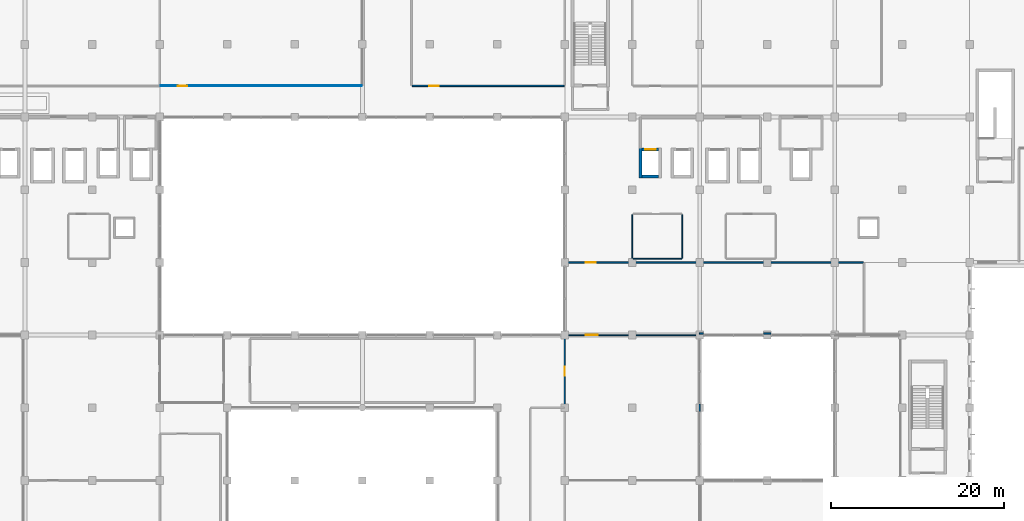
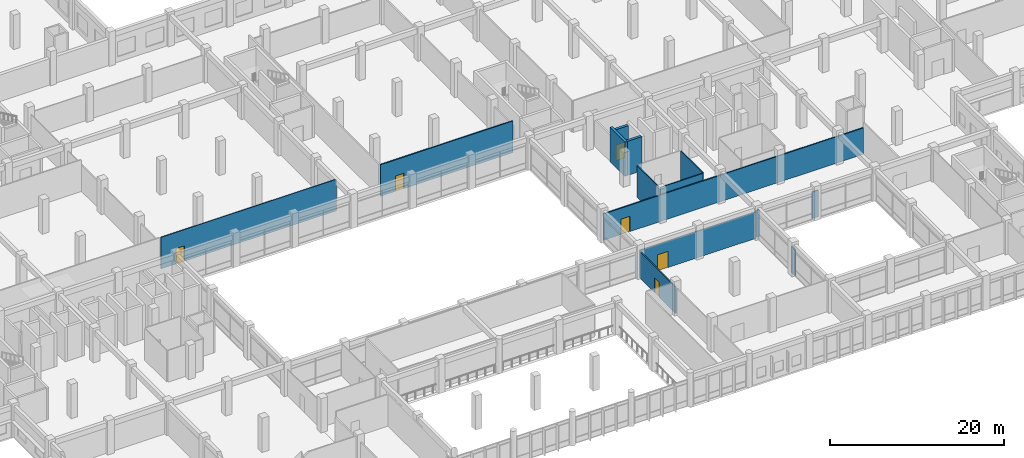
# One storey, part 57 of 79: 14 walls, 6 doors, 6 openings.
"""IFC4 building model written with IfcOpenShell, lengths in metres."""

from ifc_helpers import new_model, si_unit, direction, frame, frame_2d, origin, place, context, subcontext, project, spatial, rectangle, extrude, material, layer, layer_set, type_object, element, fill, save


model = new_model("IFC4")

# Units and contexts
model_context = context("Model", 3, precision=1e-05, world=origin(), true_north=direction((0.0, 1.0)))
body_context = subcontext(model_context, "Body", "Model", "MODEL_VIEW")
ifc_project = project(units=[si_unit("LENGTHUNIT", "METRE"), si_unit("AREAUNIT", "SQUARE_METRE"), si_unit("VOLUMEUNIT", "CUBIC_METRE"), si_unit("PLANEANGLEUNIT", "RADIAN"), si_unit("MASSUNIT", "GRAM", prefix="KILO"), si_unit("THERMODYNAMICTEMPERATUREUNIT", "KELVIN"), si_unit("POWERUNIT", "WATT")], contexts=[model_context])

# Site, building, storey
site_placement = place(None, origin())
site = spatial("IfcSite", under=ifc_project, at=site_placement, CompositionType="ELEMENT")
building_placement = place(site_placement, origin())
building = spatial("IfcBuilding", under=site, at=building_placement, Name="Srebrne Nadtorze General Hospital", CompositionType="ELEMENT")
storey_placement = place(building_placement, frame((0.0, 0.0, 4.800048828125)))
storey = spatial("IfcBuildingStorey", under=building, at=storey_placement, Name="L01", CompositionType="ELEMENT", Elevation=4.800048828125)

# Wall, opening, door
ifc_material_1 = material(Name="Gypsum Healthcare Partition")
ifc_layer_1 = layer(ifc_material_1, 0.139892578125)
ifc_layer_set_1 = layer_set([ifc_layer_1], Name="Gypsum Healthcare Partition")
wall_type_1 = type_object("IfcWallType", Name="Clinical partition 140", PredefinedType="PARTITIONING", material=ifc_layer_set_1)
wall_1_placement = place(storey_placement, frame((101.485107421875, 25.199951171875, 0.0), z_axis=(0.0, 0.0, 1.0), x_axis=(1.0, 0.0, 0.0)))
wall_1 = element("IfcWall", 1, at=wall_1_placement, inside=storey, type_object=wall_type_1, Name="Outpatient ENT and Audiology Clinic wall WL-INT-L01-1473", PredefinedType="PARTITIONING", context=body_context, shape_type="SweptSolid", body=[
    extrude(rectangle(XDim=15.429931640625, YDim=0.139892578125, at=frame_2d((7.71484375, 0.0))), origin(), (0.0, 0.0, 1.0), 3.699951171875),
])
opening_1_placement = place(wall_1_placement, frame((2.33154296875, 0.0, 0.0)))
opening_1 = element("IfcOpeningElement", 2, at=opening_1_placement, cuts=wall_1, Name="Opening D-L01-0233", PredefinedType="OPENING", context=body_context, shape_type="SweptSolid", body=[
    extrude(rectangle(XDim=1.39990234375, YDim=2.25, at=frame_2d((0.699951171875, 1.125))), frame((0.0, 0.08203125, 0.0), z_axis=(0.0, -1.0, 0.0), x_axis=(1.0, 0.0, 0.0)), (0.0, 0.0, 1.0), 0.163818359375),
])
ifc_material_2 = material(Name="Anodised Aluminium", Category="aluminium")
door_type_1 = type_object("IfcDoorType", Name="Single leaf door 1400x2250", OperationType="NOTDEFINED", PredefinedType="DOOR", material=ifc_material_2)
door_1_placement = place(opening_1_placement, frame((1.39990234375, 0.0, 0.0), z_axis=(0.0, 0.0, 1.0), x_axis=(-1.0, 0.0, 0.0)))
door_1 = element("IfcDoor", 3, at=door_1_placement, inside=storey, type_object=door_type_1, Name="Outpatient ENT and Audiology Clinic door D-L01-0233", OperationType="SINGLE_SWING_LEFT", OverallHeight=2.25, OverallWidth=1.39990234375, PredefinedType="DOOR", context=body_context, shape_type="SweptSolid", body=[
    extrude(rectangle(XDim=1.39990234375, YDim=2.25, at=frame_2d((0.699951171875, 1.125))), frame((0.0, 0.02490234375, 0.0), z_axis=(0.0, -1.0, 0.0), x_axis=(1.0, 0.0, 0.0)), (0.0, 0.0, 1.0), 0.050048828125),
])
fill(opening_1, door_1)

wall_2_placement = place(storey_placement, frame((101.39990234375, 16.7548828125, 0.0), z_axis=(0.0, 0.0, 1.0), x_axis=(0.0, 1.0, 0.0)))
wall_2 = element("IfcWall", 4, at=wall_2_placement, inside=storey, type_object=wall_type_1, Name="Outpatient ENT and Audiology Clinic wall WL-INT-L01-1474", PredefinedType="PARTITIONING", context=body_context, shape_type="SweptSolid", body=[
    extrude(rectangle(XDim=8.360107421875, YDim=0.139892578125, at=frame_2d((4.18017578125, 0.0))), origin(), (0.0, 0.0, 1.0), 3.699951171875),
])
opening_2_placement = place(wall_2_placement, frame((3.719970703125, 0.0, 0.0)))
opening_2 = element("IfcOpeningElement", 5, at=opening_2_placement, cuts=wall_2, Name="Opening D-L01-0600", PredefinedType="OPENING", context=body_context, shape_type="SweptSolid", body=[
    extrude(rectangle(XDim=1.050048828125, YDim=2.10009765625, at=frame_2d((0.52490234375, 1.050048828125))), frame((0.0, 0.08203125, 0.0), z_axis=(0.0, -1.0, 0.0), x_axis=(1.0, 0.0, 0.0)), (0.0, 0.0, 1.0), 0.163818359375),
])
ifc_material_3 = material(Name="Anodised Aluminium", Category="aluminium")
door_type_2 = type_object("IfcDoorType", Name="Single leaf door 1050x2100", OperationType="NOTDEFINED", PredefinedType="DOOR", material=ifc_material_3)
door_2_placement = place(opening_2_placement, origin())
door_2 = element("IfcDoor", 6, at=door_2_placement, inside=storey, type_object=door_type_2, Name="Clinical Corridor link door D-L01-0600", OperationType="SINGLE_SWING_RIGHT", OverallHeight=2.10009765625, OverallWidth=1.050048828125, PredefinedType="DOOR", context=body_context, shape_type="SweptSolid", body=[
    extrude(rectangle(XDim=1.050048828125, YDim=2.10009765625, at=frame_2d((0.52490234375, 1.050048828125))), frame((0.0, 0.02490234375, 0.0), z_axis=(0.0, -1.0, 0.0), x_axis=(1.0, 0.0, 0.0)), (0.0, 0.0, 1.0), 0.050048828125),
])
fill(opening_2, door_2)

# Wall
wall_3_placement = place(storey_placement, frame((117.0, 16.389892578125, 0.0), z_axis=(0.0, 0.0, 1.0), x_axis=(0.0, 1.0, 0.0)))
element("IfcWall", 7, at=wall_3_placement, inside=storey, type_object=wall_type_1, Name="Outpatient ENT and Audiology Clinic wall WL-INT-L01-1475", PredefinedType="PARTITIONING", context=body_context, shape_type="SweptSolid", body=[
    extrude(rectangle(XDim=0.820068359375, YDim=0.139892578125, at=frame_2d((0.41015625, 0.0))), origin(), (0.0, 0.0, 1.0), 3.699951171875),
])

# Wall, opening, door
ifc_material_4 = material(Name="Gypsum Healthcare Partition")
ifc_layer_2 = layer(ifc_material_4, 0.159912109375)
ifc_layer_set_2 = layer_set([ifc_layer_2], Name="Gypsum Healthcare Partition")
wall_type_2 = type_object("IfcWallType", Name="Clinical partition 160", PredefinedType="PARTITIONING", material=ifc_layer_set_2)
wall_4_placement = place(storey_placement, frame((83.760009765625, 54.0, 0.0), z_axis=(0.0, 0.0, 1.0), x_axis=(1.0, 0.0, 0.0)))
wall_4 = element("IfcWall", 8, at=wall_4_placement, inside=storey, type_object=wall_type_2, Name="Radiology Reporting Workroom wall WL-INT-L01-1443", PredefinedType="PARTITIONING", context=body_context, shape_type="SweptSolid", body=[
    extrude(rectangle(XDim=17.554931640625, YDim=0.159912109375, at=frame_2d((8.77734375, 0.0))), origin(), (0.0, 0.0, 1.0), 4.429931640625),
])
opening_3_placement = place(wall_4_placement, frame((1.986328125, 0.0, 0.0)))
opening_3 = element("IfcOpeningElement", 9, at=opening_3_placement, cuts=wall_4, Name="Opening D-L01-0226", PredefinedType="OPENING", context=body_context, shape_type="SweptSolid", body=[
    extrude(rectangle(XDim=1.080078125, YDim=2.14990234375, at=frame_2d((0.5400390625, 1.074951171875))), frame((0.0, 0.091796875, 0.0), z_axis=(0.0, -1.0, 0.0), x_axis=(1.0, 0.0, 0.0)), (0.0, 0.0, 1.0), 0.183837890625),
])
ifc_material_5 = material(Name="Anodised Aluminium", Category="aluminium")
door_type_3 = type_object("IfcDoorType", Name="Single leaf door 1080x2150", OperationType="NOTDEFINED", PredefinedType="DOOR", material=ifc_material_5)
door_3_placement = place(opening_3_placement, origin())
door_3 = element("IfcDoor", 10, at=door_3_placement, inside=storey, type_object=door_type_3, Name="Radiology Reporting Workroom door D-L01-0226", OperationType="SINGLE_SWING_LEFT", OverallHeight=2.14990234375, OverallWidth=1.080078125, PredefinedType="DOOR", context=body_context, shape_type="SweptSolid", body=[
    extrude(rectangle(XDim=1.080078125, YDim=2.14990234375, at=frame_2d((0.5400390625, 1.074951171875))), frame((0.0, 0.02490234375, 0.0), z_axis=(0.0, -1.0, 0.0), x_axis=(1.0, 0.0, 0.0)), (0.0, 0.0, 1.0), 0.050048828125),
])
fill(opening_3, door_3)

# Walls
wall_5_placement = place(storey_placement, frame((116.955078125, 25.39990234375, 0.0), z_axis=(0.0, 0.0, 1.0), x_axis=(1.0, 0.0, 0.0)))
element("IfcWall", 11, at=wall_5_placement, inside=storey, type_object=wall_type_2, Name="Outpatient Rheumatology and Immunology Clinic wall WL-INT-L01-1491", PredefinedType="PARTITIONING", context=body_context, shape_type="SweptSolid", body=[
    extrude(rectangle(XDim=0.454833984375, YDim=0.159912109375, at=frame_2d((0.2275390625, 0.0))), origin(), (0.0, 0.0, 1.0), 3.699951171875),
])
wall_6_placement = place(storey_placement, frame((124.389892578125, 25.39990234375, 0.0), z_axis=(0.0, 0.0, 1.0), x_axis=(1.0, 0.0, 0.0)))
element("IfcWall", 12, at=wall_6_placement, inside=storey, type_object=wall_type_2, Name="Outpatient Rheumatology and Immunology Clinic wall WL-INT-L01-1492", PredefinedType="PARTITIONING", context=body_context, shape_type="SweptSolid", body=[
    extrude(rectangle(XDim=0.820068359375, YDim=0.159912109375, at=frame_2d((0.41015625, 0.0))), origin(), (0.0, 0.0, 1.0), 3.699951171875),
])

# Wall, opening, door
wall_7_placement = place(storey_placement, frame((101.485107421875, 33.60009765625, 0.0), z_axis=(0.0, 0.0, 1.0), x_axis=(1.0, 0.0, 0.0)))
wall_7 = element("IfcWall", 13, at=wall_7_placement, inside=storey, type_object=wall_type_2, Name="Outpatient Rheumatology and Immunology Clinic wall WL-INT-L01-1494", PredefinedType="PARTITIONING", context=body_context, shape_type="SweptSolid", body=[
    extrude(rectangle(XDim=34.429931640625, YDim=0.159912109375, at=frame_2d((17.21484375, 0.0))), origin(), (0.0, 0.0, 1.0), 3.699951171875),
])
opening_4_placement = place(wall_7_placement, frame((2.339111328125, 0.0, 0.0)))
opening_4 = element("IfcOpeningElement", 14, at=opening_4_placement, cuts=wall_7, Name="Opening D-L01-0238", PredefinedType="OPENING", context=body_context, shape_type="SweptSolid", body=[
    extrude(rectangle(XDim=1.14990234375, YDim=2.14990234375, at=frame_2d((0.574951171875, 1.074951171875))), frame((0.0, 0.091796875, 0.0), z_axis=(0.0, -1.0, 0.0), x_axis=(1.0, 0.0, 0.0)), (0.0, 0.0, 1.0), 0.183837890625),
])
ifc_material_6 = material(Name="Anodised Aluminium", Category="aluminium")
door_type_4 = type_object("IfcDoorType", Name="Single leaf door 1150x2150", OperationType="NOTDEFINED", PredefinedType="DOOR", material=ifc_material_6)
door_4_placement = place(opening_4_placement, frame((1.14990234375, 0.0, 0.0), z_axis=(0.0, 0.0, 1.0), x_axis=(-1.0, 0.0, 0.0)))
door_4 = element("IfcDoor", 15, at=door_4_placement, inside=storey, type_object=door_type_4, Name="Outpatient Rheumatology and Immunology Clinic door D-L01-0238", OperationType="SINGLE_SWING_RIGHT", OverallHeight=2.14990234375, OverallWidth=1.14990234375, PredefinedType="DOOR", context=body_context, shape_type="SweptSolid", body=[
    extrude(rectangle(XDim=1.14990234375, YDim=2.14990234375, at=frame_2d((0.574951171875, 1.074951171875))), frame((0.0, 0.02490234375, 0.0), z_axis=(0.0, -1.0, 0.0), x_axis=(1.0, 0.0, 0.0)), (0.0, 0.0, 1.0), 0.050048828125),
])
fill(opening_4, door_4)

# Walls
ifc_material_7 = material(Name="Gypsum Healthcare Partition")
ifc_layer_3 = layer(ifc_material_7, 0.1201171875)
ifc_layer_set_3 = layer_set([ifc_layer_3], Name="Gypsum Healthcare Partition")
wall_type_3 = type_object("IfcWallType", Name="En-suite partition 120", PredefinedType="PARTITIONING", material=ifc_layer_set_3)
wall_8_placement = place(storey_placement, frame((109.284912109375, 34.0, 0.0), z_axis=(0.0, 0.0, 1.0), x_axis=(1.0, 0.0, 0.0)))
element("IfcWall", 16, at=wall_8_placement, inside=storey, type_object=wall_type_3, Name="Public WC wall WL-INT-L01-1484", PredefinedType="PARTITIONING", context=body_context, shape_type="SweptSolid", body=[
    extrude(rectangle(XDim=5.630126953125, YDim=0.1201171875, at=frame_2d((2.81494140625, 0.0))), origin(), (0.0, 0.0, 1.0), 4.429931640625),
])
for number, where, z_axis, x_axis, name in (
    (17, (109.199951171875, 34.0849609375, 0.0), (0.0, 0.0, 1.0), (0.0, 1.0, 0.0), "Public WC wall WL-INT-L01-1485"),
    (18, (115.0, 34.0849609375, 0.0), (0.0, 0.0, 1.0), (0.0, 1.0, 0.0), "Public WC wall WL-INT-L01-1486"),
):
    element("IfcWall", number, at=place(storey_placement, frame(where, z_axis=z_axis, x_axis=x_axis)), inside=storey, type_object=wall_type_3, Name=name, PredefinedType="PARTITIONING", context=body_context, shape_type="SweptSolid", body=[
        extrude(rectangle(XDim=5.030029296875, YDim=0.1201171875, at=frame_2d((2.51513671875, 0.0))), origin(), (0.0, 0.0, 1.0), 4.429931640625),
    ])

# Wall, opening, door
ifc_material_8 = material(Name="Gypsum Healthcare Partition")
ifc_layer_4 = layer(ifc_material_8, 0.10009765625)
ifc_layer_set_4 = layer_set([ifc_layer_4], Name="Gypsum Healthcare Partition")
wall_type_4 = type_object("IfcWallType", Name="Shaft lining wall 100", PredefinedType="PARTITIONING", material=ifc_layer_set_4)
wall_9_placement = place(storey_placement, frame((54.68505859375, 54.0, 0.0), z_axis=(0.0, 0.0, 1.0), x_axis=(1.0, 0.0, 0.0)))
wall_9 = element("IfcWall", 19, at=wall_9_placement, inside=storey, type_object=wall_type_4, Name="Angiography and Fluoroscopy Suite wall WL-INT-L01-1439", PredefinedType="PARTITIONING", context=body_context, shape_type="SweptSolid", body=[
    extrude(rectangle(XDim=23.22998046875, YDim=0.10009765625, at=frame_2d((11.614990234375, 0.0))), origin(), (0.0, 0.0, 1.0), 4.429931640625),
])
opening_5_placement = place(wall_9_placement, frame((1.998291015625, 0.0, 0.0)))
opening_5 = element("IfcOpeningElement", 20, at=opening_5_placement, cuts=wall_9, Name="Opening D-L01-0225", PredefinedType="OPENING", context=body_context, shape_type="SweptSolid", body=[
    extrude(rectangle(XDim=1.080078125, YDim=2.14990234375, at=frame_2d((0.5400390625, 1.074951171875))), frame((0.0, 0.06201171875, 0.0), z_axis=(0.0, -1.0, 0.0), x_axis=(1.0, 0.0, 0.0)), (0.0, 0.0, 1.0), 0.1240234375),
])
door_5_placement = place(opening_5_placement, origin())
door_5 = element("IfcDoor", 21, at=door_5_placement, inside=storey, type_object=door_type_3, Name="Angiography and Fluoroscopy Suite door D-L01-0225", OperationType="SINGLE_SWING_LEFT", OverallHeight=2.14990234375, OverallWidth=1.080078125, PredefinedType="DOOR", context=body_context, shape_type="SweptSolid", body=[
    extrude(rectangle(XDim=1.080078125, YDim=2.14990234375, at=frame_2d((0.5400390625, 1.074951171875))), frame((0.0, 0.02490234375, 0.0), z_axis=(0.0, -1.0, 0.0), x_axis=(1.0, 0.0, 0.0)), (0.0, 0.0, 1.0), 0.050048828125),
])
fill(opening_5, door_5)

# Walls
ifc_material_9 = material(Name="Concrete C40/50", Category="concrete")
ifc_layer_5 = layer(ifc_material_9, 0.35009765625)
ifc_layer_set_5 = layer_set([ifc_layer_5], Name="Concrete C40/50")
wall_type_5 = type_object("IfcWallType", Name="Shear core wall 350", PredefinedType="SHEAR", material=ifc_layer_set_5)
wall_10_placement = place(storey_placement, frame((110.175048828125, 43.360107421875, 0.0), z_axis=(0.0, 0.0, 1.0), x_axis=(0.0, 1.0, 0.0)))
element("IfcWall", 22, at=wall_10_placement, inside=storey, type_object=wall_type_5, Name="Lift shaft wall LP-03 WL-INT-L01-0706", PredefinedType="SHEAR", context=body_context, shape_type="SweptSolid", body=[
    extrude(rectangle(XDim=3.449951171875, YDim=0.35009765625, at=frame_2d((1.72509765625, 0.0))), origin(), (0.0, 0.0, 1.0), 4.800048828125),
])
wall_11_placement = place(storey_placement, frame((110.35009765625, 43.534912109375, 0.0), z_axis=(0.0, 0.0, 1.0), x_axis=(1.0, 0.0, 0.0)))
element("IfcWall", 23, at=wall_11_placement, inside=storey, type_object=wall_type_5, Name="Lift shaft back wall LP-03 WL-INT-L01-0708", PredefinedType="SHEAR", context=body_context, shape_type="SweptSolid", body=[
    extrude(rectangle(XDim=1.89990234375, YDim=0.35009765625, at=frame_2d((0.949951171875, 0.0))), origin(), (0.0, 0.0, 1.0), 4.800048828125),
])

# Wall, opening, door
wall_12_placement = place(storey_placement, frame((110.35009765625, 46.635009765625, 0.0), z_axis=(0.0, 0.0, 1.0), x_axis=(1.0, 0.0, 0.0)))
wall_12 = element("IfcWall", 24, at=wall_12_placement, inside=storey, type_object=wall_type_5, Name="Lift shaft front wall LP-03 WL-INT-L01-0709", PredefinedType="SHEAR", context=body_context, shape_type="SweptSolid", body=[
    extrude(rectangle(XDim=1.89990234375, YDim=0.35009765625, at=frame_2d((0.949951171875, 0.0))), origin(), (0.0, 0.0, 1.0), 4.449951171875),
])
opening_6_placement = place(wall_12_placement, frame((0.35009765625, 0.0, 0.0)))
opening_6 = element("IfcOpeningElement", 25, at=opening_6_placement, cuts=wall_12, Name="Opening LD-L01-061", PredefinedType="OPENING", context=body_context, shape_type="SweptSolid", body=[
    extrude(rectangle(XDim=1.199951171875, YDim=2.199951171875, at=frame_2d((0.60009765625, 1.10009765625))), frame((0.0, 0.18701171875, 0.0), z_axis=(0.0, -1.0, 0.0), x_axis=(1.0, 0.0, 0.0)), (0.0, 0.0, 1.0), 0.3740234375),
])
ifc_material_10 = material(Name="Anodised Aluminium", Category="aluminium")
door_type_5 = type_object("IfcDoorType", Name="Sliding lift door 1200x2200", OperationType="SLIDING_TO_LEFT", PredefinedType="DOOR", material=ifc_material_10)
door_6_placement = place(opening_6_placement, origin())
door_6 = element("IfcDoor", 26, at=door_6_placement, inside=storey, type_object=door_type_5, Name="Lift Landing Door LD-L01-061", OperationType="SLIDING_TO_LEFT", OverallHeight=2.199951171875, OverallWidth=1.199951171875, PredefinedType="DOOR", context=body_context, shape_type="SweptSolid", body=[
    extrude(rectangle(XDim=1.199951171875, YDim=2.199951171875, at=frame_2d((0.60009765625, 1.10009765625))), frame((0.0, 0.02490234375, 0.0), z_axis=(0.0, -1.0, 0.0), x_axis=(1.0, 0.0, 0.0)), (0.0, 0.0, 1.0), 0.050048828125),
])
fill(opening_6, door_6)

save(model, "model.ifc")
